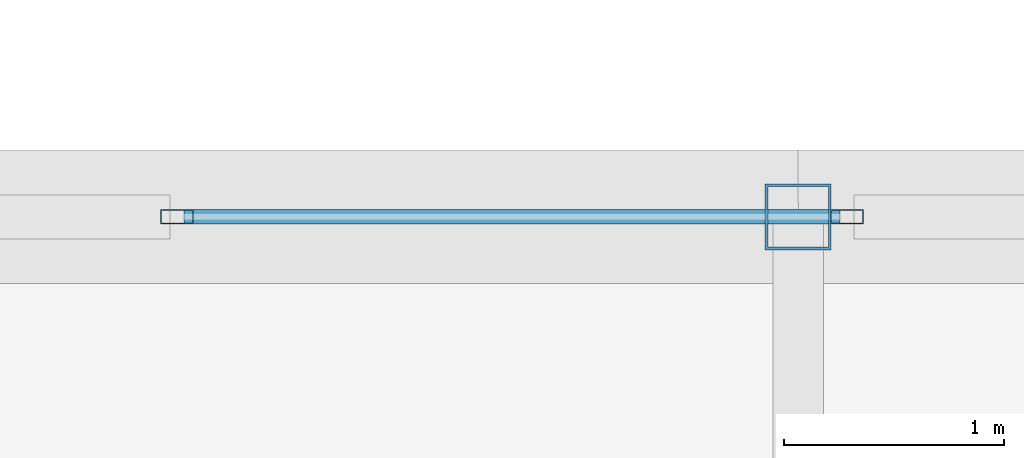
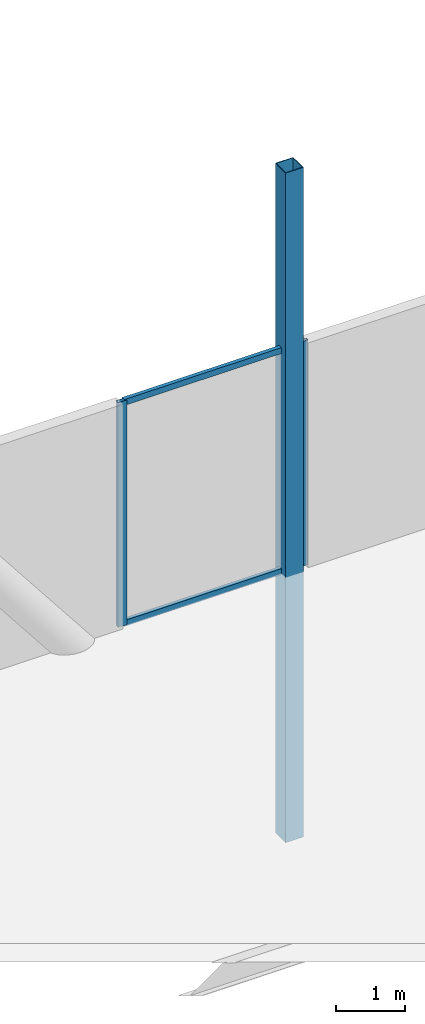
# One storey, part 27 of 53: 5 members, 1 element without a shape of its own.
"""IFC4 building model written with IfcOpenShell, lengths in metres."""

from ifc_helpers import new_model, si_unit, direction, frame, origin, origin_2d, place, context, subcontext, project, spatial, hollow_rectangle, extrude, material, material_profile, profile_set, type_object, element, aggregate, save


model = new_model("IFC4")

# Units and contexts
model_context = context("Model", 3, precision=1e-05, world=origin(), true_north=direction((0.0, 1.0)))
body_context = subcontext(model_context, "Body", "Model", "MODEL_VIEW")
ifc_project = project(units=[si_unit("LENGTHUNIT", "METRE"), si_unit("AREAUNIT", "SQUARE_METRE"), si_unit("VOLUMEUNIT", "CUBIC_METRE"), si_unit("PLANEANGLEUNIT", "RADIAN"), si_unit("MASSUNIT", "GRAM", prefix="KILO")], contexts=[model_context])

# Site, building, storey
site_placement = place(None, origin())
site = spatial("IfcSite", under=ifc_project, at=site_placement, CompositionType="ELEMENT")
building_placement = place(site_placement, origin())
building = spatial("IfcBuilding", under=site, at=building_placement, Name="Tashvorn Skyway Center", CompositionType="ELEMENT")
storey_placement = place(building_placement, frame((0.0, 0.0, 255.39990234375)))
storey = spatial("IfcBuildingStorey", under=building, at=storey_placement, Name="L69", CompositionType="ELEMENT", Elevation=255.39990234375)

# Curtain wall, members
ifc_material_1 = material(Name="Thermally broken bronze-anodized aluminium 6063-T6", Category="aluminium")
curtain_wall_type = type_object("IfcCurtainWallType", Name="CW-CW-SKY", PredefinedType="NOTDEFINED", material=ifc_material_1)
curtain_wall_placement = place(storey_placement, origin())
curtain_wall = element("IfcCurtainWall", 1, at=curtain_wall_placement, inside=storey, type_object=curtain_wall_type, Name="Sky-Park L69 Bridge North Curtain Wall Glazing Group 2", PredefinedType="NOTDEFINED")
ifc_material_profile_1 = material_profile(ifc_material_1, hollow_rectangle(XDim=0.06494140625, YDim=0.14990234375, WallThickness=0.00390625, at=origin_2d()), Name="ALU-MULL-65x150")
ifc_profile_set_1 = profile_set([ifc_material_profile_1], Name="Thermally broken bronze-anodized aluminium 6063-T6")
member_type_1 = type_object("IfcMemberType", Name="CWM-CW-SKY", PredefinedType="MULLION", material=ifc_profile_set_1)
member_1_placement = place(storey_placement, frame((82.2724609375, 39.89990234375, 0.0), z_axis=(0.0, 0.0, 1.0), x_axis=(0.0, 1.0, 0.0)))
member_1 = element("IfcMember", 2, at=member_1_placement, type_object=member_type_1, Name="CW-SKY mullion 1", PredefinedType="MULLION", context=body_context, shape_type="SweptSolid", body=[
    extrude(hollow_rectangle(XDim=0.06494140625, YDim=0.14990234375, WallThickness=0.00390625, at=origin_2d()), origin(), (0.0, 0.0, 1.0), 4.0),
])
member_2_placement = place(storey_placement, frame((85.322509765625, 39.89990234375, 0.0), z_axis=(0.0, 0.0, 1.0), x_axis=(0.0, 1.0, 0.0)))
member_2 = element("IfcMember", 3, at=member_2_placement, type_object=member_type_1, Name="CW-SKY mullion 2", PredefinedType="MULLION", context=body_context, shape_type="SweptSolid", body=[
    extrude(hollow_rectangle(XDim=0.06494140625, YDim=0.14990234375, WallThickness=0.00390625, at=origin_2d()), origin(), (0.0, 0.0, 1.0), 4.0),
])
ifc_material_profile_2 = material_profile(ifc_material_1, hollow_rectangle(XDim=0.06494140625, YDim=0.10498046875, WallThickness=0.00390625, at=origin_2d()), Name="ALU-TRAN-65x105")
ifc_profile_set_2 = profile_set([ifc_material_profile_2], Name="Thermally broken bronze-anodized aluminium 6063-T6")
member_type_2 = type_object("IfcMemberType", Name="CWT-CW-SKY", PredefinedType="USERDEFINED", material=ifc_profile_set_2)
member_3_placement = place(storey_placement, frame((82.304931640625, 39.89990234375, 0.03271484375), z_axis=(1.0, 0.0, 0.0), x_axis=(0.0, 1.0, 0.0)))
member_3 = element("IfcMember", 4, at=member_3_placement, type_object=member_type_2, Name="CW-SKY transom 1.1", ObjectType="TRANSOM", PredefinedType="USERDEFINED", context=body_context, shape_type="SweptSolid", body=[
    extrude(hollow_rectangle(XDim=0.06494140625, YDim=0.10498046875, WallThickness=0.00390625, at=origin_2d()), origin(), (0.0, 0.0, 1.0), 2.985107421875),
])
member_4_placement = place(storey_placement, frame((82.304931640625, 39.89990234375, 3.967529296875), z_axis=(1.0, 0.0, 0.0), x_axis=(0.0, 1.0, 0.0)))
member_4 = element("IfcMember", 5, at=member_4_placement, type_object=member_type_2, Name="CW-SKY transom 1.2", ObjectType="TRANSOM", PredefinedType="USERDEFINED", context=body_context, shape_type="SweptSolid", body=[
    extrude(hollow_rectangle(XDim=0.06494140625, YDim=0.10498046875, WallThickness=0.00390625, at=origin_2d()), origin(), (0.0, 0.0, 1.0), 2.985107421875),
])
aggregate(curtain_wall, [member_1, member_2, member_3, member_4])

# Member
ifc_material_2 = material(Name="Steel ASTM A572 Grade 50", Category="steel")
ifc_material_profile_3 = material_profile(ifc_material_2, hollow_rectangle(XDim=0.300048828125, YDim=0.300048828125, WallThickness=0.012451171875, at=origin_2d()), Name="HSS300x300x12.5")
ifc_profile_set_3 = profile_set([ifc_material_profile_3], Name="Steel ASTM A572 Grade 50")
member_type_3 = type_object("IfcMemberType", Name="MEM-SP-PST-300", PredefinedType="POST", material=ifc_profile_set_3)
member_5_placement = place(storey_placement, frame((85.10009765625, 39.89990234375, -4.725341796875), z_axis=(0.0, 0.0, 1.0), x_axis=(1.0, 0.0, 0.0)))
element("IfcMember", 6, at=member_5_placement, inside=storey, type_object=member_type_3, Name="Sky-Park Truss 2 Vertical Post 09", PredefinedType="POST", context=body_context, shape_type="SweptSolid", body=[
    extrude(hollow_rectangle(XDim=0.300048828125, YDim=0.300048828125, WallThickness=0.012451171875, at=origin_2d()), origin(), (0.0, 0.0, 1.0), 11.919921875),
])

save(model, "model.ifc")
